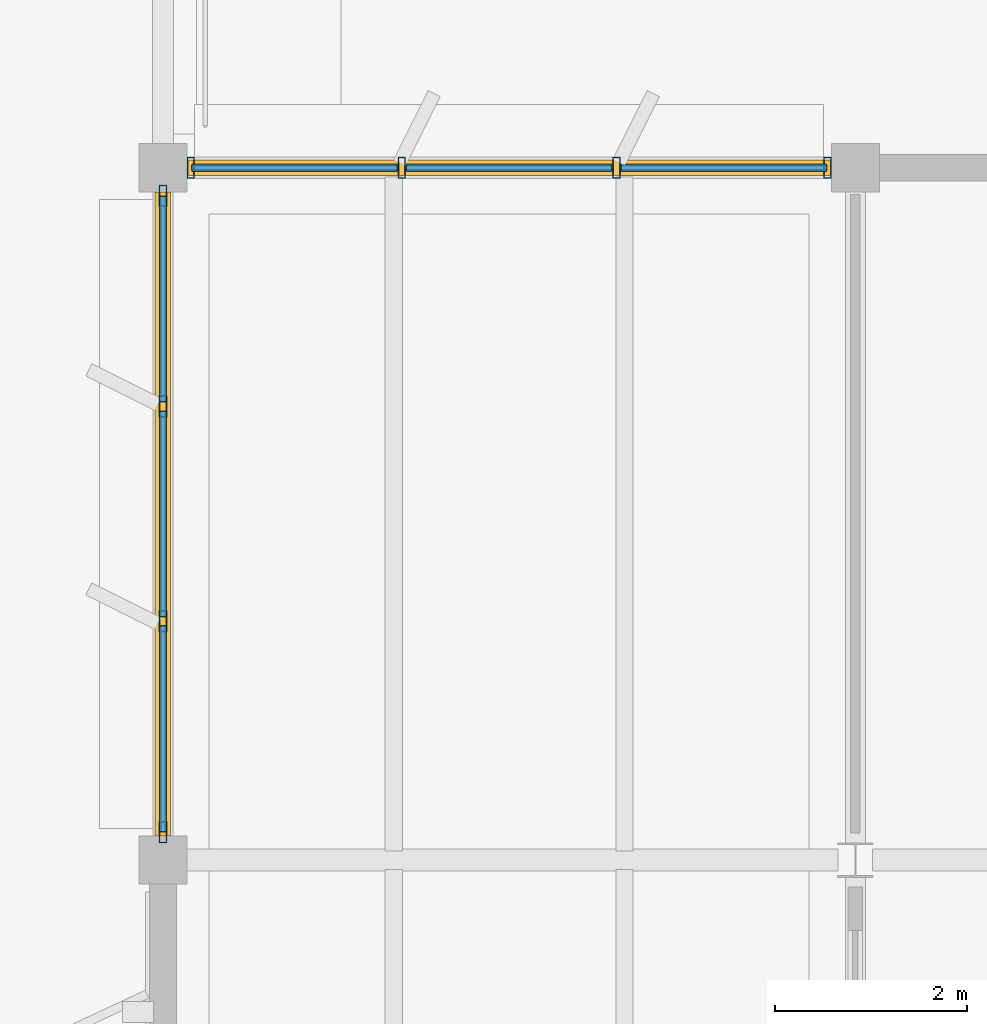
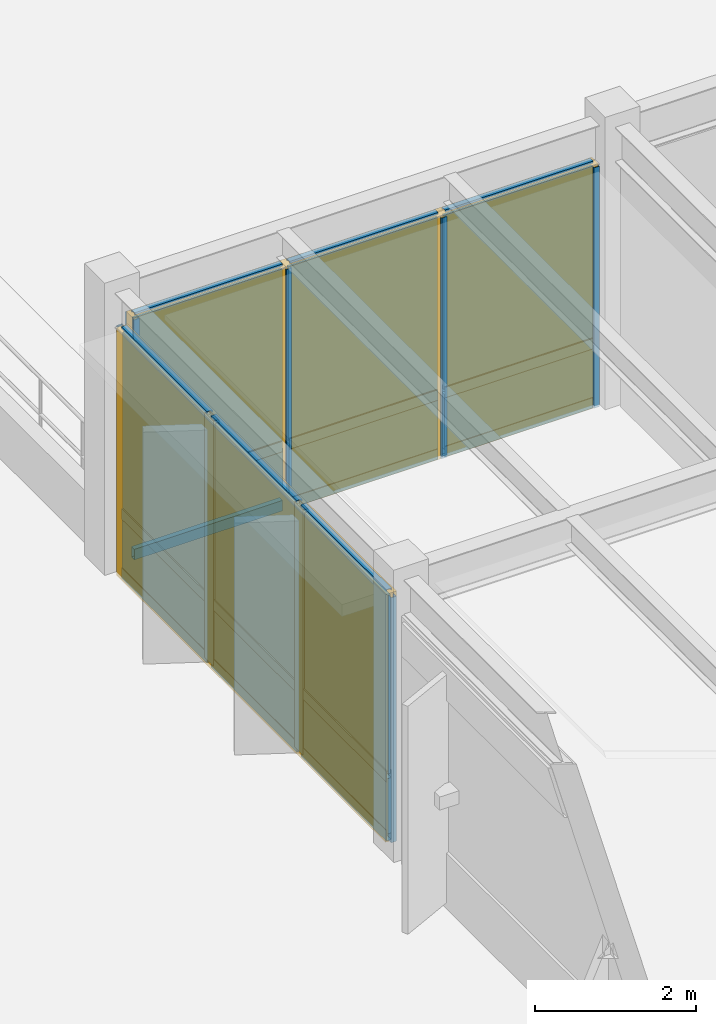
# One storey, part 55 of 92: 26 members, 12 plates, 2 curtain walls.
"""IFC4 building model written with IfcOpenShell, lengths in metres."""

from ifc_helpers import new_model, si_unit, direction, frame, origin, origin_2d, place, context, subcontext, project, spatial, rectangle, hollow_rectangle, extrude, material, layer, layer_set, material_profile, profile_set, type_object, element, aggregate, save


model = new_model("IFC4")

# Units and contexts
model_context = context("Model", 3, precision=1e-05, world=origin(), true_north=direction((0.0, 1.0)))
body_context = subcontext(model_context, "Body", "Model", "MODEL_VIEW")
ifc_project = project(units=[si_unit("LENGTHUNIT", "METRE"), si_unit("AREAUNIT", "SQUARE_METRE"), si_unit("VOLUMEUNIT", "CUBIC_METRE"), si_unit("PLANEANGLEUNIT", "RADIAN"), si_unit("MASSUNIT", "GRAM", prefix="KILO")], contexts=[model_context])

# Member
ifc_material_1 = material(Name="Anodized Aluminium 6063-T6", Category="aluminium")
ifc_material_profile_1 = material_profile(ifc_material_1, hollow_rectangle(XDim=0.074951171875, YDim=0.219970703125, WallThickness=0.0048828125, at=origin_2d()), Name="ALU 75x220x5")
ifc_profile_set_1 = profile_set([ifc_material_profile_1], Name="Anodized Aluminium 6063-T6")
member_type_1 = type_object("IfcMemberType", Name="CWM-75X180", PredefinedType="MULLION", material=ifc_profile_set_1)
site_placement = place(None, origin())
building_placement = place(site_placement, origin())
storey_placement = place(building_placement, frame((0.0, 0.0, 5.39990234375)))
member_1_placement = place(storey_placement, frame((14.68994140625, 93.60009765625, 0.02001953125), z_axis=(0.0, 0.0, 1.0), x_axis=(1.0, 0.0, 0.0)))
member_1 = element("IfcMember", 1, at=member_1_placement, type_object=member_type_1, Name="Curtain wall mullion CW-L02-02-12-N-00", PredefinedType="MULLION", context=body_context, shape_type="SweptSolid", body=[
    extrude(hollow_rectangle(XDim=0.074951171875, YDim=0.219970703125, WallThickness=0.0048828125, at=origin_2d()), origin(), (0.0, 0.0, 1.0), 3.657958984375),
])

member_2_placement = place(storey_placement, frame((16.88330078125, 93.60009765625, 0.02001953125), z_axis=(0.0, 0.0, 1.0), x_axis=(1.0, 0.0, 0.0)))
member_2 = element("IfcMember", 2, at=member_2_placement, type_object=member_type_1, Name="Curtain wall mullion CW-L02-02-12-N-01", PredefinedType="MULLION", context=body_context, shape_type="SweptSolid", body=[
    extrude(hollow_rectangle(XDim=0.074951171875, YDim=0.219970703125, WallThickness=0.0048828125, at=origin_2d()), origin(), (0.0, 0.0, 1.0), 3.657958984375),
])

member_3_placement = place(storey_placement, frame((19.11669921875, 93.60009765625, 0.02001953125), z_axis=(0.0, 0.0, 1.0), x_axis=(1.0, 0.0, 0.0)))
member_3 = element("IfcMember", 3, at=member_3_placement, type_object=member_type_1, Name="Curtain wall mullion CW-L02-02-12-N-02", PredefinedType="MULLION", context=body_context, shape_type="SweptSolid", body=[
    extrude(hollow_rectangle(XDim=0.074951171875, YDim=0.219970703125, WallThickness=0.0048828125, at=origin_2d()), origin(), (0.0, 0.0, 1.0), 3.657958984375),
])

member_4_placement = place(storey_placement, frame((21.31005859375, 93.60009765625, 0.02001953125), z_axis=(0.0, 0.0, 1.0), x_axis=(1.0, 0.0, 0.0)))
member_4 = element("IfcMember", 4, at=member_4_placement, type_object=member_type_1, Name="Curtain wall mullion CW-L02-02-12-N-03", PredefinedType="MULLION", context=body_context, shape_type="SweptSolid", body=[
    extrude(hollow_rectangle(XDim=0.074951171875, YDim=0.219970703125, WallThickness=0.0048828125, at=origin_2d()), origin(), (0.0, 0.0, 1.0), 3.657958984375),
])

member_5_placement = place(storey_placement, frame((14.39990234375, 86.68994140625, 0.02001953125), z_axis=(0.0, 0.0, 1.0), x_axis=(1.0, 0.0, 0.0)))
member_5 = element("IfcMember", 5, at=member_5_placement, type_object=member_type_1, Name="Curtain wall mullion CW-L02-02-12-W-00", PredefinedType="MULLION", context=body_context, shape_type="SweptSolid", body=[
    extrude(hollow_rectangle(XDim=0.074951171875, YDim=0.219970703125, WallThickness=0.0048828125, at=origin_2d()), origin(), (0.0, 0.0, 1.0), 3.72705078125),
])

member_6_placement = place(storey_placement, frame((14.39990234375, 88.88330078125, 0.02001953125), z_axis=(0.0, 0.0, 1.0), x_axis=(1.0, 0.0, 0.0)))
member_6 = element("IfcMember", 6, at=member_6_placement, type_object=member_type_1, Name="Curtain wall mullion CW-L02-02-12-W-01", PredefinedType="MULLION", context=body_context, shape_type="SweptSolid", body=[
    extrude(hollow_rectangle(XDim=0.074951171875, YDim=0.219970703125, WallThickness=0.0048828125, at=origin_2d()), origin(), (0.0, 0.0, 1.0), 3.72705078125),
])

member_7_placement = place(storey_placement, frame((14.39990234375, 91.11669921875, 0.02001953125), z_axis=(0.0, 0.0, 1.0), x_axis=(1.0, 0.0, 0.0)))
member_7 = element("IfcMember", 7, at=member_7_placement, type_object=member_type_1, Name="Curtain wall mullion CW-L02-02-12-W-02", PredefinedType="MULLION", context=body_context, shape_type="SweptSolid", body=[
    extrude(hollow_rectangle(XDim=0.074951171875, YDim=0.219970703125, WallThickness=0.0048828125, at=origin_2d()), origin(), (0.0, 0.0, 1.0), 3.72705078125),
])

member_8_placement = place(storey_placement, frame((14.39990234375, 93.31005859375, 0.02001953125), z_axis=(0.0, 0.0, 1.0), x_axis=(1.0, 0.0, 0.0)))
member_8 = element("IfcMember", 8, at=member_8_placement, type_object=member_type_1, Name="Curtain wall mullion CW-L02-02-12-W-03", PredefinedType="MULLION", context=body_context, shape_type="SweptSolid", body=[
    extrude(hollow_rectangle(XDim=0.074951171875, YDim=0.219970703125, WallThickness=0.0048828125, at=origin_2d()), origin(), (0.0, 0.0, 1.0), 3.72705078125),
])

ifc_material_profile_2 = material_profile(ifc_material_1, hollow_rectangle(XDim=0.074951171875, YDim=0.159912109375, WallThickness=0.00390625, at=origin_2d()), Name="ALU 75x160x4")
ifc_profile_set_2 = profile_set([ifc_material_profile_2], Name="Anodized Aluminium 6063-T6")
member_type_2 = type_object("IfcMemberType", Name="CWT-75X150", PredefinedType="USERDEFINED", material=ifc_profile_set_2)
member_9_placement = place(storey_placement, frame((14.699951171875, 93.60009765625, 0.050048828125), z_axis=(1.0, 0.0, 0.0), x_axis=(0.0, 1.0, 0.0)))
member_9 = element("IfcMember", 9, at=member_9_placement, type_object=member_type_2, Name="Curtain wall transom CW-L02-02-12-N-1.01", ObjectType="TRANSOM", PredefinedType="USERDEFINED", context=body_context, shape_type="SweptSolid", body=[
    extrude(hollow_rectangle(XDim=0.074951171875, YDim=0.159912109375, WallThickness=0.00390625, at=origin_2d()), origin(), (0.0, 0.0, 1.0), 2.13330078125),
])

member_10_placement = place(storey_placement, frame((16.933349609375, 93.60009765625, 0.050048828125), z_axis=(1.0, 0.0, 0.0), x_axis=(0.0, 1.0, 0.0)))
member_10 = element("IfcMember", 10, at=member_10_placement, type_object=member_type_2, Name="Curtain wall transom CW-L02-02-12-N-1.02", ObjectType="TRANSOM", PredefinedType="USERDEFINED", context=body_context, shape_type="SweptSolid", body=[
    extrude(hollow_rectangle(XDim=0.074951171875, YDim=0.159912109375, WallThickness=0.00390625, at=origin_2d()), origin(), (0.0, 0.0, 1.0), 2.13330078125),
])

member_11_placement = place(storey_placement, frame((19.166748046875, 93.60009765625, 0.050048828125), z_axis=(1.0, 0.0, 0.0), x_axis=(0.0, 1.0, 0.0)))
member_11 = element("IfcMember", 11, at=member_11_placement, type_object=member_type_2, Name="Curtain wall transom CW-L02-02-12-N-1.03", ObjectType="TRANSOM", PredefinedType="USERDEFINED", context=body_context, shape_type="SweptSolid", body=[
    extrude(hollow_rectangle(XDim=0.074951171875, YDim=0.159912109375, WallThickness=0.00390625, at=origin_2d()), origin(), (0.0, 0.0, 1.0), 2.13330078125),
])

member_12_placement = place(storey_placement, frame((14.699951171875, 93.60009765625, 0.9501953125), z_axis=(1.0, 0.0, 0.0), x_axis=(0.0, 1.0, 0.0)))
member_12 = element("IfcMember", 12, at=member_12_placement, type_object=member_type_2, Name="Curtain wall transom CW-L02-02-12-N-2.01", ObjectType="TRANSOM", PredefinedType="USERDEFINED", context=body_context, shape_type="SweptSolid", body=[
    extrude(hollow_rectangle(XDim=0.074951171875, YDim=0.159912109375, WallThickness=0.00390625, at=origin_2d()), origin(), (0.0, 0.0, 1.0), 2.13330078125),
])

member_13_placement = place(storey_placement, frame((16.933349609375, 93.60009765625, 0.9501953125), z_axis=(1.0, 0.0, 0.0), x_axis=(0.0, 1.0, 0.0)))
member_13 = element("IfcMember", 13, at=member_13_placement, type_object=member_type_2, Name="Curtain wall transom CW-L02-02-12-N-2.02", ObjectType="TRANSOM", PredefinedType="USERDEFINED", context=body_context, shape_type="SweptSolid", body=[
    extrude(hollow_rectangle(XDim=0.074951171875, YDim=0.159912109375, WallThickness=0.00390625, at=origin_2d()), origin(), (0.0, 0.0, 1.0), 2.13330078125),
])

member_14_placement = place(storey_placement, frame((19.166748046875, 93.60009765625, 0.9501953125), z_axis=(1.0, 0.0, 0.0), x_axis=(0.0, 1.0, 0.0)))
member_14 = element("IfcMember", 14, at=member_14_placement, type_object=member_type_2, Name="Curtain wall transom CW-L02-02-12-N-2.03", ObjectType="TRANSOM", PredefinedType="USERDEFINED", context=body_context, shape_type="SweptSolid", body=[
    extrude(hollow_rectangle(XDim=0.074951171875, YDim=0.159912109375, WallThickness=0.00390625, at=origin_2d()), origin(), (0.0, 0.0, 1.0), 2.13330078125),
])

member_15_placement = place(storey_placement, frame((14.699951171875, 93.60009765625, 3.648193359375), z_axis=(1.0, 0.0, 0.0), x_axis=(0.0, 1.0, 0.0)))
member_15 = element("IfcMember", 15, at=member_15_placement, type_object=member_type_2, Name="Curtain wall transom CW-L02-02-12-N-3.01", ObjectType="TRANSOM", PredefinedType="USERDEFINED", context=body_context, shape_type="SweptSolid", body=[
    extrude(hollow_rectangle(XDim=0.074951171875, YDim=0.159912109375, WallThickness=0.00390625, at=origin_2d()), origin(), (0.0, 0.0, 1.0), 2.13330078125),
])

member_16_placement = place(storey_placement, frame((16.933349609375, 93.60009765625, 3.648193359375), z_axis=(1.0, 0.0, 0.0), x_axis=(0.0, 1.0, 0.0)))
member_16 = element("IfcMember", 16, at=member_16_placement, type_object=member_type_2, Name="Curtain wall transom CW-L02-02-12-N-3.02", ObjectType="TRANSOM", PredefinedType="USERDEFINED", context=body_context, shape_type="SweptSolid", body=[
    extrude(hollow_rectangle(XDim=0.074951171875, YDim=0.159912109375, WallThickness=0.00390625, at=origin_2d()), origin(), (0.0, 0.0, 1.0), 2.13330078125),
])

member_17_placement = place(storey_placement, frame((19.166748046875, 93.60009765625, 3.648193359375), z_axis=(1.0, 0.0, 0.0), x_axis=(0.0, 1.0, 0.0)))
member_17 = element("IfcMember", 17, at=member_17_placement, type_object=member_type_2, Name="Curtain wall transom CW-L02-02-12-N-3.03", ObjectType="TRANSOM", PredefinedType="USERDEFINED", context=body_context, shape_type="SweptSolid", body=[
    extrude(hollow_rectangle(XDim=0.074951171875, YDim=0.159912109375, WallThickness=0.00390625, at=origin_2d()), origin(), (0.0, 0.0, 1.0), 2.13330078125),
])

member_18_placement = place(storey_placement, frame((14.39990234375, 86.699951171875, 0.050048828125), z_axis=(0.0, 1.0, 0.0), x_axis=(-1.0, 0.0, 0.0)))
member_18 = element("IfcMember", 18, at=member_18_placement, type_object=member_type_2, Name="Curtain wall transom CW-L02-02-12-W-1.01", ObjectType="TRANSOM", PredefinedType="USERDEFINED", context=body_context, shape_type="SweptSolid", body=[
    extrude(hollow_rectangle(XDim=0.074951171875, YDim=0.159912109375, WallThickness=0.00390625, at=origin_2d()), origin(), (0.0, 0.0, 1.0), 2.13330078125),
])

member_19_placement = place(storey_placement, frame((14.39990234375, 88.933349609375, 0.050048828125), z_axis=(0.0, 1.0, 0.0), x_axis=(-1.0, 0.0, 0.0)))
member_19 = element("IfcMember", 19, at=member_19_placement, type_object=member_type_2, Name="Curtain wall transom CW-L02-02-12-W-1.02", ObjectType="TRANSOM", PredefinedType="USERDEFINED", context=body_context, shape_type="SweptSolid", body=[
    extrude(hollow_rectangle(XDim=0.074951171875, YDim=0.159912109375, WallThickness=0.00390625, at=origin_2d()), origin(), (0.0, 0.0, 1.0), 2.13330078125),
])

member_20_placement = place(storey_placement, frame((14.39990234375, 91.166748046875, 0.050048828125), z_axis=(0.0, 1.0, 0.0), x_axis=(-1.0, 0.0, 0.0)))
member_20 = element("IfcMember", 20, at=member_20_placement, type_object=member_type_2, Name="Curtain wall transom CW-L02-02-12-W-1.03", ObjectType="TRANSOM", PredefinedType="USERDEFINED", context=body_context, shape_type="SweptSolid", body=[
    extrude(hollow_rectangle(XDim=0.074951171875, YDim=0.159912109375, WallThickness=0.00390625, at=origin_2d()), origin(), (0.0, 0.0, 1.0), 2.13330078125),
])

member_21_placement = place(storey_placement, frame((14.39990234375, 86.699951171875, 0.9501953125), z_axis=(0.0, 1.0, 0.0), x_axis=(-1.0, 0.0, 0.0)))
member_21 = element("IfcMember", 21, at=member_21_placement, type_object=member_type_2, Name="Curtain wall transom CW-L02-02-12-W-2.01", ObjectType="TRANSOM", PredefinedType="USERDEFINED", context=body_context, shape_type="SweptSolid", body=[
    extrude(hollow_rectangle(XDim=0.074951171875, YDim=0.159912109375, WallThickness=0.00390625, at=origin_2d()), origin(), (0.0, 0.0, 1.0), 2.13330078125),
])

member_22_placement = place(storey_placement, frame((14.39990234375, 88.933349609375, 0.9501953125), z_axis=(0.0, 1.0, 0.0), x_axis=(-1.0, 0.0, 0.0)))
member_22 = element("IfcMember", 22, at=member_22_placement, type_object=member_type_2, Name="Curtain wall transom CW-L02-02-12-W-2.02", ObjectType="TRANSOM", PredefinedType="USERDEFINED", context=body_context, shape_type="SweptSolid", body=[
    extrude(hollow_rectangle(XDim=0.074951171875, YDim=0.159912109375, WallThickness=0.00390625, at=origin_2d()), origin(), (0.0, 0.0, 1.0), 2.13330078125),
])

member_23_placement = place(storey_placement, frame((14.39990234375, 91.166748046875, 0.9501953125), z_axis=(0.0, 1.0, 0.0), x_axis=(-1.0, 0.0, 0.0)))
member_23 = element("IfcMember", 23, at=member_23_placement, type_object=member_type_2, Name="Curtain wall transom CW-L02-02-12-W-2.03", ObjectType="TRANSOM", PredefinedType="USERDEFINED", context=body_context, shape_type="SweptSolid", body=[
    extrude(hollow_rectangle(XDim=0.074951171875, YDim=0.159912109375, WallThickness=0.00390625, at=origin_2d()), origin(), (0.0, 0.0, 1.0), 2.13330078125),
])

member_24_placement = place(storey_placement, frame((14.39990234375, 86.699951171875, 3.717041015625), z_axis=(0.0, 1.0, 0.0), x_axis=(-1.0, 0.0, 0.0)))
member_24 = element("IfcMember", 24, at=member_24_placement, type_object=member_type_2, Name="Curtain wall transom CW-L02-02-12-W-3.01", ObjectType="TRANSOM", PredefinedType="USERDEFINED", context=body_context, shape_type="SweptSolid", body=[
    extrude(hollow_rectangle(XDim=0.074951171875, YDim=0.159912109375, WallThickness=0.00390625, at=origin_2d()), origin(), (0.0, 0.0, 1.0), 2.13330078125),
])

member_25_placement = place(storey_placement, frame((14.39990234375, 88.933349609375, 3.717041015625), z_axis=(0.0, 1.0, 0.0), x_axis=(-1.0, 0.0, 0.0)))
member_25 = element("IfcMember", 25, at=member_25_placement, type_object=member_type_2, Name="Curtain wall transom CW-L02-02-12-W-3.02", ObjectType="TRANSOM", PredefinedType="USERDEFINED", context=body_context, shape_type="SweptSolid", body=[
    extrude(hollow_rectangle(XDim=0.074951171875, YDim=0.159912109375, WallThickness=0.00390625, at=origin_2d()), origin(), (0.0, 0.0, 1.0), 2.13330078125),
])

member_26_placement = place(storey_placement, frame((14.39990234375, 91.166748046875, 3.717041015625), z_axis=(0.0, 1.0, 0.0), x_axis=(-1.0, 0.0, 0.0)))
member_26 = element("IfcMember", 26, at=member_26_placement, type_object=member_type_2, Name="Curtain wall transom CW-L02-02-12-W-3.03", ObjectType="TRANSOM", PredefinedType="USERDEFINED", context=body_context, shape_type="SweptSolid", body=[
    extrude(hollow_rectangle(XDim=0.074951171875, YDim=0.159912109375, WallThickness=0.00390625, at=origin_2d()), origin(), (0.0, 0.0, 1.0), 2.13330078125),
])

# Plate
ifc_material_2 = material(Name="Acoustic Laminated Low-E Glazing", Category="glass")
ifc_layer_1 = layer(ifc_material_2, 0.0439453125)
ifc_layer_set_1 = layer_set([ifc_layer_1], Name="Acoustic Laminated Low-E Glazing")
plate_type_1 = type_object("IfcPlateType", Name="CWP-IGU-44", PredefinedType="CURTAIN_PANEL", material=ifc_layer_set_1)
plate_1_placement = place(storey_placement, frame((15.7666015625, 93.60009765625, 0.990234375), z_axis=(0.0, 0.0, 1.0), x_axis=(1.0, 0.0, 0.0)))
plate_1 = element("IfcPlate", 27, at=plate_1_placement, type_object=plate_type_1, Name="Curtain wall vision glazing CW-L02-02-12-N-01", PredefinedType="CURTAIN_PANEL", context=body_context, shape_type="SweptSolid", body=[
    extrude(rectangle(XDim=2.143310546875, YDim=0.0400390625, at=origin_2d()), origin(), (0.0, 0.0, 1.0), 2.64794921875),
])

plate_2_placement = place(storey_placement, frame((18.0, 93.60009765625, 0.990234375), z_axis=(0.0, 0.0, 1.0), x_axis=(1.0, 0.0, 0.0)))
plate_2 = element("IfcPlate", 28, at=plate_2_placement, type_object=plate_type_1, Name="Curtain wall vision glazing CW-L02-02-12-N-02", PredefinedType="CURTAIN_PANEL", context=body_context, shape_type="SweptSolid", body=[
    extrude(rectangle(XDim=2.143310546875, YDim=0.0400390625, at=origin_2d()), origin(), (0.0, 0.0, 1.0), 2.64794921875),
])

plate_3_placement = place(storey_placement, frame((20.2333984375, 93.60009765625, 0.990234375), z_axis=(0.0, 0.0, 1.0), x_axis=(1.0, 0.0, 0.0)))
plate_3 = element("IfcPlate", 29, at=plate_3_placement, type_object=plate_type_1, Name="Curtain wall vision glazing CW-L02-02-12-N-03", PredefinedType="CURTAIN_PANEL", context=body_context, shape_type="SweptSolid", body=[
    extrude(rectangle(XDim=2.143310546875, YDim=0.0400390625, at=origin_2d()), origin(), (0.0, 0.0, 1.0), 2.64794921875),
])

plate_4_placement = place(storey_placement, frame((14.39990234375, 87.7666015625, 0.990234375), z_axis=(0.0, 0.0, 1.0), x_axis=(0.0, 1.0, 0.0)))
plate_4 = element("IfcPlate", 30, at=plate_4_placement, type_object=plate_type_1, Name="Curtain wall vision glazing CW-L02-02-12-W-01", PredefinedType="CURTAIN_PANEL", context=body_context, shape_type="SweptSolid", body=[
    extrude(rectangle(XDim=2.143310546875, YDim=0.0400390625, at=origin_2d()), origin(), (0.0, 0.0, 1.0), 2.717041015625),
])

plate_5_placement = place(storey_placement, frame((14.39990234375, 90.0, 0.990234375), z_axis=(0.0, 0.0, 1.0), x_axis=(0.0, 1.0, 0.0)))
plate_5 = element("IfcPlate", 31, at=plate_5_placement, type_object=plate_type_1, Name="Curtain wall vision glazing CW-L02-02-12-W-02", PredefinedType="CURTAIN_PANEL", context=body_context, shape_type="SweptSolid", body=[
    extrude(rectangle(XDim=2.143310546875, YDim=0.0400390625, at=origin_2d()), origin(), (0.0, 0.0, 1.0), 2.717041015625),
])

plate_6_placement = place(storey_placement, frame((14.39990234375, 92.2333984375, 0.990234375), z_axis=(0.0, 0.0, 1.0), x_axis=(0.0, 1.0, 0.0)))
plate_6 = element("IfcPlate", 32, at=plate_6_placement, type_object=plate_type_1, Name="Curtain wall vision glazing CW-L02-02-12-W-03", PredefinedType="CURTAIN_PANEL", context=body_context, shape_type="SweptSolid", body=[
    extrude(rectangle(XDim=2.143310546875, YDim=0.0400390625, at=origin_2d()), origin(), (0.0, 0.0, 1.0), 2.717041015625),
])

ifc_material_3 = material(Name="Insulated Stone-Composite Spandrel", Category="masonry")
ifc_layer_2 = layer(ifc_material_3, 0.068115234375)
ifc_layer_set_2 = layer_set([ifc_layer_2], Name="Insulated Stone-Composite Spandrel")
plate_type_2 = type_object("IfcPlateType", Name="CWP-SPN-68", PredefinedType="CURTAIN_PANEL", material=ifc_layer_set_2)
plate_7_placement = place(storey_placement, frame((15.7666015625, 93.60009765625, 0.080078125), z_axis=(0.0, 0.0, 1.0), x_axis=(1.0, 0.0, 0.0)))
plate_7 = element("IfcPlate", 33, at=plate_7_placement, type_object=plate_type_2, Name="Curtain wall spandrel panel CW-L02-02-12-N-01", PredefinedType="CURTAIN_PANEL", context=body_context, shape_type="SweptSolid", body=[
    extrude(rectangle(XDim=2.143310546875, YDim=0.06005859375, at=origin_2d()), origin(), (0.0, 0.0, 1.0), 0.840087890625),
])

plate_8_placement = place(storey_placement, frame((18.0, 93.60009765625, 0.080078125), z_axis=(0.0, 0.0, 1.0), x_axis=(1.0, 0.0, 0.0)))
plate_8 = element("IfcPlate", 34, at=plate_8_placement, type_object=plate_type_2, Name="Curtain wall spandrel panel CW-L02-02-12-N-02", PredefinedType="CURTAIN_PANEL", context=body_context, shape_type="SweptSolid", body=[
    extrude(rectangle(XDim=2.143310546875, YDim=0.06005859375, at=origin_2d()), origin(), (0.0, 0.0, 1.0), 0.840087890625),
])

plate_9_placement = place(storey_placement, frame((20.2333984375, 93.60009765625, 0.080078125), z_axis=(0.0, 0.0, 1.0), x_axis=(1.0, 0.0, 0.0)))
plate_9 = element("IfcPlate", 35, at=plate_9_placement, type_object=plate_type_2, Name="Curtain wall spandrel panel CW-L02-02-12-N-03", PredefinedType="CURTAIN_PANEL", context=body_context, shape_type="SweptSolid", body=[
    extrude(rectangle(XDim=2.143310546875, YDim=0.06005859375, at=origin_2d()), origin(), (0.0, 0.0, 1.0), 0.840087890625),
])

plate_10_placement = place(storey_placement, frame((14.39990234375, 87.7666015625, 0.080078125), z_axis=(0.0, 0.0, 1.0), x_axis=(0.0, 1.0, 0.0)))
plate_10 = element("IfcPlate", 36, at=plate_10_placement, type_object=plate_type_2, Name="Curtain wall spandrel panel CW-L02-02-12-W-01", PredefinedType="CURTAIN_PANEL", context=body_context, shape_type="SweptSolid", body=[
    extrude(rectangle(XDim=2.143310546875, YDim=0.06005859375, at=origin_2d()), origin(), (0.0, 0.0, 1.0), 0.840087890625),
])

plate_11_placement = place(storey_placement, frame((14.39990234375, 90.0, 0.080078125), z_axis=(0.0, 0.0, 1.0), x_axis=(0.0, 1.0, 0.0)))
plate_11 = element("IfcPlate", 37, at=plate_11_placement, type_object=plate_type_2, Name="Curtain wall spandrel panel CW-L02-02-12-W-02", PredefinedType="CURTAIN_PANEL", context=body_context, shape_type="SweptSolid", body=[
    extrude(rectangle(XDim=2.143310546875, YDim=0.06005859375, at=origin_2d()), origin(), (0.0, 0.0, 1.0), 0.840087890625),
])

plate_12_placement = place(storey_placement, frame((14.39990234375, 92.2333984375, 0.080078125), z_axis=(0.0, 0.0, 1.0), x_axis=(0.0, 1.0, 0.0)))
plate_12 = element("IfcPlate", 38, at=plate_12_placement, type_object=plate_type_2, Name="Curtain wall spandrel panel CW-L02-02-12-W-03", PredefinedType="CURTAIN_PANEL", context=body_context, shape_type="SweptSolid", body=[
    extrude(rectangle(XDim=2.143310546875, YDim=0.06005859375, at=origin_2d()), origin(), (0.0, 0.0, 1.0), 0.840087890625),
])

# Site, building, storey
site = spatial("IfcSite", under=ifc_project, at=site_placement, CompositionType="ELEMENT")
building = spatial("IfcBuilding", under=site, at=building_placement, Name="Sillqori Civic Hall", CompositionType="ELEMENT")
storey = spatial("IfcBuildingStorey", under=building, at=storey_placement, Name="L02", CompositionType="ELEMENT", Elevation=5.39990234375)

# Curtain wall
ifc_material_4 = material(Name="Anodized Aluminium Curtain Wall System", Category="aluminium")
curtain_wall_type = type_object("IfcCurtainWallType", Name="CW-GL-430", PredefinedType="NOTDEFINED", material=ifc_material_4)
curtain_wall_1_placement = place(storey_placement, frame((18.0, 93.60009765625, 0.0), z_axis=(0.0, 0.0, 1.0), x_axis=(1.0, 0.0, 0.0)))
curtain_wall_1 = element("IfcCurtainWall", 39, at=curtain_wall_1_placement, inside=storey, type_object=curtain_wall_type, Name="L02 unitised curtain wall CW-L02-02-12-N", PredefinedType="NOTDEFINED", context=body_context, shape_type="SweptSolid", body=[
    extrude(rectangle(XDim=6.699951171875, YDim=0.159912109375, at=origin_2d()), origin(), (0.0, 0.0, 1.0), 3.697998046875),
])

aggregate(curtain_wall_1, [member_1, member_2, member_3, member_4, member_9, member_10, member_11, member_12, member_13, member_14, member_15, member_16, member_17, plate_7, plate_1, plate_8, plate_2, plate_9, plate_3])

curtain_wall_2_placement = place(storey_placement, frame((14.39990234375, 90.0, 0.0), z_axis=(0.0, 0.0, 1.0), x_axis=(0.0, 1.0, 0.0)))
curtain_wall_2 = element("IfcCurtainWall", 40, at=curtain_wall_2_placement, inside=storey, type_object=curtain_wall_type, Name="L02 unitised curtain wall CW-L02-02-12-W", PredefinedType="NOTDEFINED", context=body_context, shape_type="SweptSolid", body=[
    extrude(rectangle(XDim=6.699951171875, YDim=0.159912109375, at=origin_2d()), origin(), (0.0, 0.0, 1.0), 3.76708984375),
])

aggregate(curtain_wall_2, [member_5, member_6, member_7, member_8, member_18, member_19, member_20, member_21, member_22, member_23, member_24, member_25, member_26, plate_10, plate_4, plate_11, plate_5, plate_12, plate_6])

save(model, "model.ifc")
